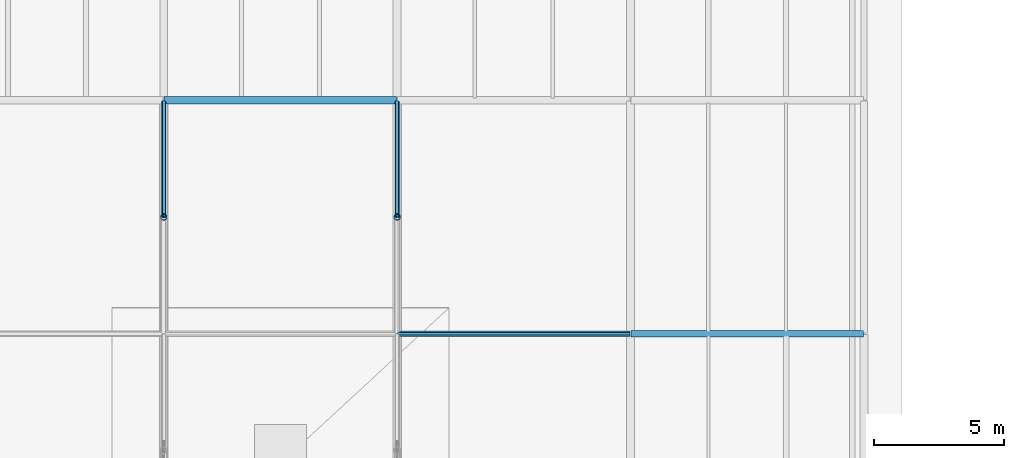
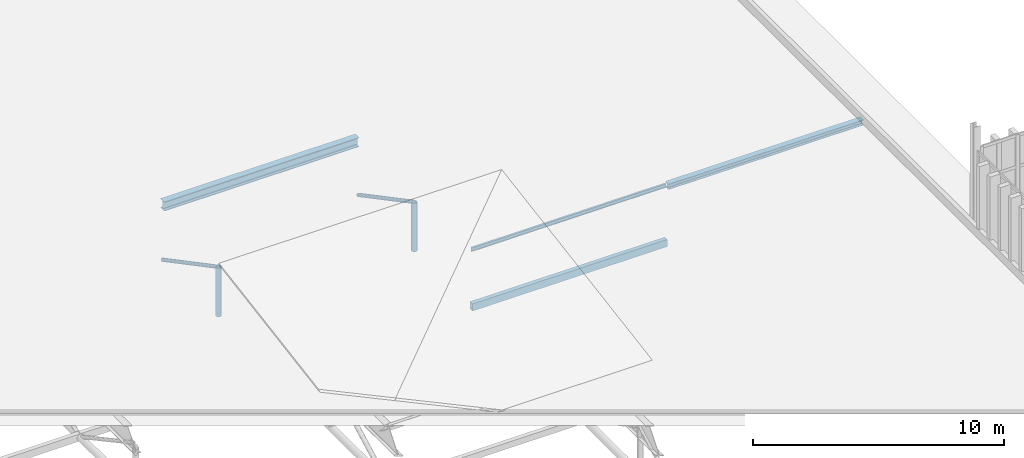
# One storey, part 98 of 196: 6 members, 2 beams.
"""IFC4 building model written with IfcOpenShell, lengths in metres."""

import ifcopenshell
import ifcopenshell.guid

model = None  # the IFC model being written
_history = None  # IfcOwnerHistory: only IFC2X3 demands one
_inside = {}  # id of a spatial element -> (the spatial element, [elements in it])
_under = {}  # id of a project, library or spatial element -> (it, [spatial elements below it])
_declared = {}  # id of a project -> (the project, [libraries it declares])
_typed = {}  # id of a type object -> (the type object, [elements of that type])
_made_of = {}  # id of a material, layer set ... -> (it, [elements and type objects made of it])


def new_model(schema):
    """Start an empty IFC model of exactly this schema.

    Asked for "IFC4X3", IfcOpenShell would pick the latest addendum, in which some entities
    have other attributes; the version numbers below select the first issue.
    IFC2X3 requires an IfcOwnerHistory on every rooted entity: one is made here for all.
    """
    global model, _history
    if schema == "IFC4X3":
        model = ifcopenshell.file(schema_version=(4, 3, 0, 0))
    else:
        model = ifcopenshell.file(schema=schema)
    _inside.clear()
    _under.clear()
    _declared.clear()
    _typed.clear()
    _made_of.clear()
    _history = None
    if model.schema == "IFC2X3":
        org = make("IfcOrganization", Name="unknown")
        user = make(
            "IfcPersonAndOrganization",
            ThePerson=make("IfcPerson", FamilyName="unknown"),
            TheOrganization=org,
        )
        app = make(
            "IfcApplication",
            ApplicationDeveloper=org,
            Version="unknown",
            ApplicationFullName="unknown",
            ApplicationIdentifier="unknown",
        )
        _history = make(
            "IfcOwnerHistory",
            OwningUser=user,
            OwningApplication=app,
            ChangeAction="ADDED",
            CreationDate=0,
        )
    return model


def make(cls, **values):
    """One entity of the class cls with the attributes given. An attribute that is None is left unset."""
    return model.create_entity(
        cls, **{name: value for name, value in values.items() if value is not None}
    )


def rooted(cls, **values):
    """An entity with a GlobalId (a new one), such as an element, a storey or a relation."""
    return make(cls, GlobalId=ifcopenshell.guid.new(), OwnerHistory=_history, **values)


def si_unit(unit_type, name, prefix=None):
    """IfcSIUnit, for example si_unit("LENGTHUNIT", "METRE", prefix="MILLI")."""
    return make("IfcSIUnit", UnitType=unit_type, Prefix=prefix, Name=name)


def assignment(units):
    """IfcUnitAssignment: the units of a project."""
    return None if units is None else make("IfcUnitAssignment", Units=units)


def point(xyz):
    """IfcCartesianPoint."""
    return None if xyz is None else make("IfcCartesianPoint", Coordinates=xyz)


def direction(xyz):
    """IfcDirection."""
    return None if xyz is None else make("IfcDirection", DirectionRatios=xyz)


def frame(location, z_axis=None, x_axis=None):
    """IfcAxis2Placement3D, a coordinate frame: its origin and axes. An axis left out is left unset."""
    return make(
        "IfcAxis2Placement3D",
        Location=point(location),
        Axis=direction(z_axis),
        RefDirection=direction(x_axis),
    )


def frame_2d(location, x_axis=None):
    """IfcAxis2Placement2D, a coordinate frame in the plane: its origin and x axis."""
    return make(
        "IfcAxis2Placement2D", Location=point(location), RefDirection=direction(x_axis)
    )


def origin():
    """The frame at (0, 0, 0) with its axes left unset."""
    return frame((0.0, 0.0, 0.0))


def origin_2d():
    """The frame at (0, 0) in the plane with its x axis left unset."""
    return frame_2d((0.0, 0.0))


def place(relative_to, where):
    """IfcLocalPlacement: puts the frame where relative to a parent placement (None: the world)."""
    return make(
        "IfcLocalPlacement", PlacementRelTo=relative_to, RelativePlacement=where
    )


def context(
    kind, dimensions, precision=None, world=None, true_north=None, identifier=None
):
    """IfcGeometricRepresentationContext, for example the 3D "Model" context."""
    return make(
        "IfcGeometricRepresentationContext",
        ContextIdentifier=identifier,
        ContextType=kind,
        CoordinateSpaceDimension=dimensions,
        Precision=precision,
        WorldCoordinateSystem=world,
        TrueNorth=true_north,
    )


def subcontext(parent, identifier, kind, view, scale=None):
    """IfcGeometricRepresentationSubContext, for example "Body" below "Model"."""
    return make(
        "IfcGeometricRepresentationSubContext",
        ContextIdentifier=identifier,
        ContextType=kind,
        ParentContext=parent,
        TargetScale=scale,
        TargetView=view,
    )


def project(units=None, contexts=None):
    """IfcProject with its units and contexts."""
    return rooted(
        "IfcProject",
        Name="project",
        RepresentationContexts=contexts,
        UnitsInContext=assignment(units),
    )


def spatial(cls, under=None, at=None, **own):
    """A site, building, storey or space (cls), placed at a placement, below another one or the project."""
    s = rooted(cls, ObjectPlacement=at, **own)
    if under is not None:
        _under.setdefault(under.id(), (under, []))[1].append(s)
    return s


def profile(cls, at=None, kind="AREA", **sizes):
    """A parametric profile (cls). Its sizes go by their IFC names, for example OverallWidth=200.0."""
    return make(cls, ProfileType=kind, Position=at, **sizes)


def hollow_rectangle(**sizes):
    """IfcRectangleHollowProfileDef."""
    return profile("IfcRectangleHollowProfileDef", **sizes)


def hollow_circle(**sizes):
    """IfcCircleHollowProfileDef."""
    return profile("IfcCircleHollowProfileDef", **sizes)


def i_section(**sizes):
    """IfcIShapeProfileDef."""
    return profile("IfcIShapeProfileDef", **sizes)


def extrude(swept, where, along, depth):
    """IfcExtrudedAreaSolid: the profile swept, set in the frame where, extruded along a direction by depth."""
    return make(
        "IfcExtrudedAreaSolid",
        SweptArea=swept,
        Position=where,
        ExtrudedDirection=direction(along),
        Depth=depth,
    )


def shape(context_of_items, identifier, shape_type, items):
    """IfcShapeRepresentation: the items that make up one representation, for example the "Body"."""
    return make(
        "IfcShapeRepresentation",
        ContextOfItems=context_of_items,
        RepresentationIdentifier=identifier,
        RepresentationType=shape_type,
        Items=items,
    )


def material(Name=None, Category=None):
    """IfcMaterial."""
    return make("IfcMaterial", Name=Name, Category=Category)


def material_profile(
    of_material, cross_section, Name=None, Category=None, Priority=None
):
    """IfcMaterialProfile: a cross section and its material."""
    return make(
        "IfcMaterialProfile",
        Name=Name,
        Material=of_material,
        Profile=cross_section,
        Priority=Priority,
        Category=Category,
    )


def profile_set(profiles, Name=None, composite=None):
    """IfcMaterialProfileSet."""
    return make(
        "IfcMaterialProfileSet",
        Name=Name,
        MaterialProfiles=profiles,
        CompositeProfile=composite,
    )


def made_of(thing, what):
    """Note that an element or type object is made of a material, layer set ...; save() writes the relation."""
    if what is not None:
        _made_of.setdefault(what.id(), (what, []))[1].append(thing)
    return thing


def type_object(cls, material=None, **own):
    """A type object (cls), such as IfcWallType, which elements share."""
    return made_of(rooted(cls, **own), material)


def element(
    cls,
    number,
    at=None,
    inside=None,
    cuts=None,
    type_object=None,
    material=None,
    context=None,
    identifier="Body",
    shape_type=None,
    held_by="IfcProductDefinitionShape",
    body=None,
    shapes=None,
    **own,
):
    """One element of the class cls, such as IfcWall. Its Tag is "e" and its number.

    at: its placement. inside: the storey or other place that contains it. cuts: it is an
    opening in that element (IfcRelVoidsElement). A single representation is given by context,
    identifier, shape_type and body (its items); several are given by shapes. held_by: the class
    of the entity that holds the representations. save() writes the other relations.
    """
    e = rooted(cls, Tag="e%d" % number, ObjectPlacement=at, **own)
    if body is not None:
        shapes = [shape(context, identifier, shape_type, body)]
    if shapes is not None:
        e.Representation = make(held_by, Representations=shapes)
    if inside is not None:
        _inside.setdefault(inside.id(), (inside, []))[1].append(e)
    if cuts is not None:
        rooted(
            "IfcRelVoidsElement", RelatingBuildingElement=cuts, RelatedOpeningElement=e
        )
    if type_object is not None:
        _typed.setdefault(type_object.id(), (type_object, []))[1].append(e)
    return made_of(e, material)


def aggregate(whole, parts):
    """IfcRelAggregates: a whole, such as a stair, and the parts it consists of."""
    return rooted("IfcRelAggregates", RelatingObject=whole, RelatedObjects=parts)


def save(model, path):
    """Write the relations noted so far, then the file.

    IfcRelAggregates (storeys below a building ...), IfcRelContainedInSpatialStructure (elements
    in a storey), IfcRelDefinesByType, IfcRelAssociatesMaterial and IfcRelDeclares: one each for
    every whole, place, type object, material and project.
    """
    for whole, parts in _under.values():
        aggregate(whole, parts)
    for where, things in _inside.values():
        rooted(
            "IfcRelContainedInSpatialStructure",
            RelatedElements=things,
            RelatingStructure=where,
        )
    for kind, things in _typed.values():
        rooted("IfcRelDefinesByType", RelatedObjects=things, RelatingType=kind)
    for what, things in _made_of.values():
        rooted("IfcRelAssociatesMaterial", RelatedObjects=things, RelatingMaterial=what)
    for by, libraries in _declared.values():
        rooted("IfcRelDeclares", RelatingContext=by, RelatedDefinitions=libraries)
    model.write(path)


model = new_model("IFC4")

# Units and contexts
model_context = context("Model", 3, precision=1e-05, world=origin(), true_north=direction((0.0, 1.0)))
body_context = subcontext(model_context, "Body", "Model", "MODEL_VIEW")
ifc_project = project(units=[si_unit("LENGTHUNIT", "METRE"), si_unit("AREAUNIT", "SQUARE_METRE"), si_unit("VOLUMEUNIT", "CUBIC_METRE"), si_unit("PLANEANGLEUNIT", "RADIAN"), si_unit("MASSUNIT", "GRAM", prefix="KILO")], contexts=[model_context])

# Site, building, storey
site_placement = place(None, origin())
site = spatial("IfcSite", under=ifc_project, at=site_placement, CompositionType="ELEMENT")
building_placement = place(site_placement, origin())
building = spatial("IfcBuilding", under=site, at=building_placement, Name="Barlavento Convention Centre", CompositionType="ELEMENT")
storey_placement = place(building_placement, frame((0.0, 0.0, 18.0)))
storey = spatial("IfcBuildingStorey", under=building, at=storey_placement, Name="L03", CompositionType="ELEMENT", Elevation=18.0)

# Beams
ifc_material = material(Name="Steel S355", Category="steel")
ifc_material_profile_1 = material_profile(ifc_material, i_section(OverallWidth=0.260009765625, OverallDepth=0.260009765625, WebThickness=0.010009765625, FlangeThickness=0.017578125, FilletRadius=0.02392578125, at=origin_2d()), Name="HEB 260")
ifc_profile_set_1 = profile_set([ifc_material_profile_1], Name="Steel S355")
beam_type_1 = type_object("IfcBeamType", Name="STR-BM-PRI-HEB260", PredefinedType="BEAM", material=ifc_profile_set_1)
beam_1_placement = place(storey_placement, frame((117.02001953125, 108.0, -0.47509765625), z_axis=(1.0, 0.0, 0.0), x_axis=(0.0, 1.0, 0.0)))
element("IfcBeam", 1, at=beam_1_placement, inside=storey, type_object=beam_type_1, Name="L03 primary girder BG16", PredefinedType="BEAM", context=body_context, shape_type="SweptSolid", body=[
    extrude(i_section(OverallWidth=0.260009765625, OverallDepth=0.260009765625, WebThickness=0.010009765625, FlangeThickness=0.017578125, FilletRadius=0.02392578125, at=origin_2d()), origin(), (0.0, 0.0, 1.0), 8.9599609375),
])
ifc_material_profile_2 = material_profile(ifc_material, i_section(OverallWidth=0.300048828125, OverallDepth=0.449951171875, WebThickness=0.013916015625, FlangeThickness=0.02587890625, FilletRadius=0.027099609375, at=origin_2d()), Name="HEB 450")
ifc_profile_set_2 = profile_set([ifc_material_profile_2], Name="Steel S355")
beam_type_2 = type_object("IfcBeamType", Name="STR-BM-PRI-HEB450", PredefinedType="BEAM", material=ifc_profile_set_2)
beam_2_placement = place(storey_placement, frame((99.02001953125, 117.0, -0.570068359375), z_axis=(1.0, 0.0, 0.0), x_axis=(0.0, 1.0, 0.0)))
element("IfcBeam", 2, at=beam_2_placement, inside=storey, type_object=beam_type_2, Name="L03 primary girder BG10", PredefinedType="BEAM", context=body_context, shape_type="SweptSolid", body=[
    extrude(i_section(OverallWidth=0.300048828125, OverallDepth=0.449951171875, WebThickness=0.013916015625, FlangeThickness=0.02587890625, FilletRadius=0.027099609375, at=origin_2d()), origin(), (0.0, 0.0, 1.0), 8.9599609375),
])

# Members
ifc_material_profile_3 = material_profile(ifc_material, hollow_rectangle(XDim=0.199951171875, YDim=0.35009765625, WallThickness=0.012451171875, at=origin_2d()), Name="RHS 350x200x12.5")
ifc_profile_set_3 = profile_set([ifc_material_profile_3], Name="Steel S355")
member_type_1 = type_object("IfcMemberType", Name="STR-MEM-COL-RHS350", PredefinedType="COLLAR", material=ifc_profile_set_3)
member_1_placement = place(storey_placement, frame((108.02001953125, 108.0, -3.199951171875), z_axis=(1.0, 0.0, 0.0), x_axis=(0.0, 1.0, 0.0)))
element("IfcMember", 3, at=member_1_placement, inside=storey, type_object=member_type_1, Name="Exhibition space frame transverse chord", PredefinedType="COLLAR", context=body_context, shape_type="SweptSolid", body=[
    extrude(hollow_rectangle(XDim=0.199951171875, YDim=0.35009765625, WallThickness=0.012451171875, at=origin_2d()), origin(), (0.0, 0.0, 1.0), 8.9599609375),
])
ifc_material_profile_4 = material_profile(ifc_material, hollow_circle(Radius=0.084228515625, WallThickness=0.010009765625, at=origin_2d()), Name="CHS 168.3x10.0")
ifc_profile_set_4 = profile_set([ifc_material_profile_4], Name="Steel S355")
member_type_2 = type_object("IfcMemberType", Name="STR-MEM-DIAG-CHS168", PredefinedType="POST", material=ifc_profile_set_4)
member_2_placement = place(storey_placement, frame((99.0, 112.5, -0.84912109375), z_axis=(0.0, 0.884200566707, -0.467107437144), x_axis=(-1.0, 0.0, 0.0)))
element("IfcMember", 4, at=member_2_placement, inside=storey, type_object=member_type_2, Name="Exhibition space frame web diagonal", PredefinedType="POST", context=body_context, shape_type="SweptSolid", body=[
    extrude(hollow_circle(Radius=0.084228515625, WallThickness=0.010009765625, at=origin_2d()), origin(), (0.0, 0.0, 1.0), 5.03271484375),
])
member_3_placement = place(storey_placement, frame((108.0, 112.5, -0.844970703125), z_axis=(0.0, 0.883859857229, -0.467751806816), x_axis=(-1.0, 0.0, 0.0)))
element("IfcMember", 5, at=member_3_placement, inside=storey, type_object=member_type_2, Name="Exhibition space frame web diagonal", PredefinedType="POST", context=body_context, shape_type="SweptSolid", body=[
    extrude(hollow_circle(Radius=0.084228515625, WallThickness=0.010009765625, at=origin_2d()), origin(), (0.0, 0.0, 1.0), 5.03466796875),
])
ifc_material_profile_5 = material_profile(ifc_material, i_section(OverallWidth=0.091064453125, OverallDepth=0.179931640625, WebThickness=0.00537109375, FlangeThickness=0.008056640625, FilletRadius=0.009033203125, at=origin_2d()), Name="IPE 180")
ifc_profile_set_5 = profile_set([ifc_material_profile_5], Name="Steel S355")
member_type_3 = type_object("IfcMemberType", Name="STR-MEM-PUR-IPE180", PredefinedType="PURLIN", material=ifc_profile_set_5)
member_4_placement = place(storey_placement, frame((108.02001953125, 108.0, -0.43505859375), z_axis=(1.0, 0.0, 0.0), x_axis=(0.0, 1.0, 0.0)))
element("IfcMember", 6, at=member_4_placement, inside=storey, type_object=member_type_3, Name="Exhibition roof purlin", PredefinedType="PURLIN", context=body_context, shape_type="SweptSolid", body=[
    extrude(i_section(OverallWidth=0.091064453125, OverallDepth=0.179931640625, WebThickness=0.00537109375, FlangeThickness=0.008056640625, FilletRadius=0.009033203125, at=origin_2d()), origin(), (0.0, 0.0, 1.0), 8.9599609375),
])
ifc_material_profile_6 = material_profile(ifc_material, hollow_circle(Radius=0.122314453125, WallThickness=0.012451171875, at=origin_2d()), Name="CHS 244.5x12.5")
ifc_profile_set_6 = profile_set([ifc_material_profile_6], Name="Steel S355")
member_type_4 = type_object("IfcMemberType", Name="STR-MEM-STRUT-CHS244", PredefinedType="STRUT", material=ifc_profile_set_6)
member_5_placement = place(storey_placement, frame((99.0, 112.5, -3.199951171875), z_axis=(0.0, 0.0, 1.0), x_axis=(1.0, 0.0, 0.0)))
element("IfcMember", 7, at=member_5_placement, inside=storey, type_object=member_type_4, Name="Exhibition space frame vertical strut", PredefinedType="STRUT", context=body_context, shape_type="SweptSolid", body=[
    extrude(hollow_circle(Radius=0.122314453125, WallThickness=0.012451171875, at=origin_2d()), origin(), (0.0, 0.0, 1.0), 2.350830078125),
])
member_6_placement = place(storey_placement, frame((108.0, 112.5, -3.199951171875), z_axis=(0.0, 0.0, 1.0), x_axis=(1.0, 0.0, 0.0)))
element("IfcMember", 8, at=member_6_placement, inside=storey, type_object=member_type_4, Name="Exhibition space frame vertical strut", PredefinedType="STRUT", context=body_context, shape_type="SweptSolid", body=[
    extrude(hollow_circle(Radius=0.122314453125, WallThickness=0.012451171875, at=origin_2d()), origin(), (0.0, 0.0, 1.0), 2.35498046875),
])

save(model, "model.ifc")
